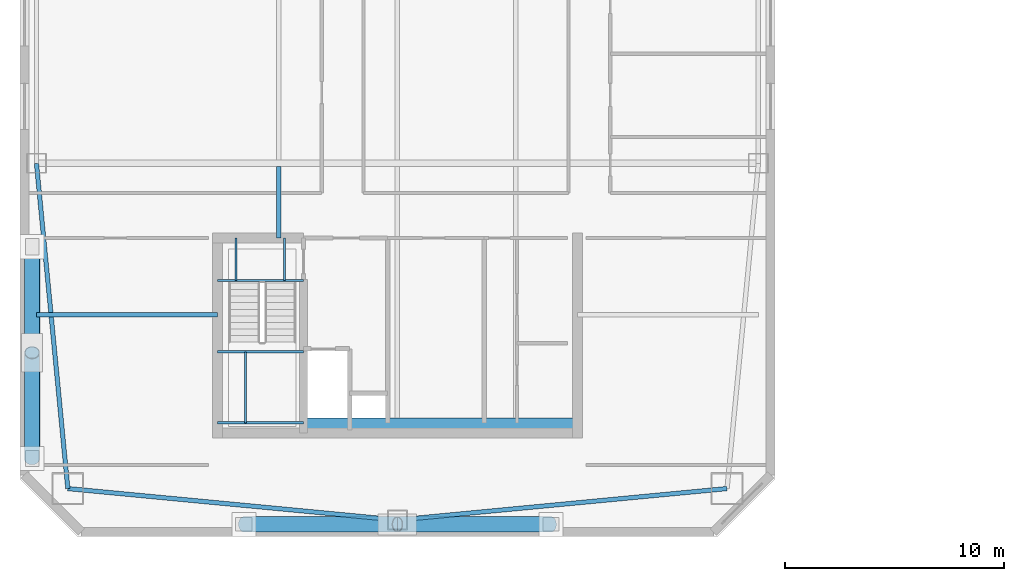
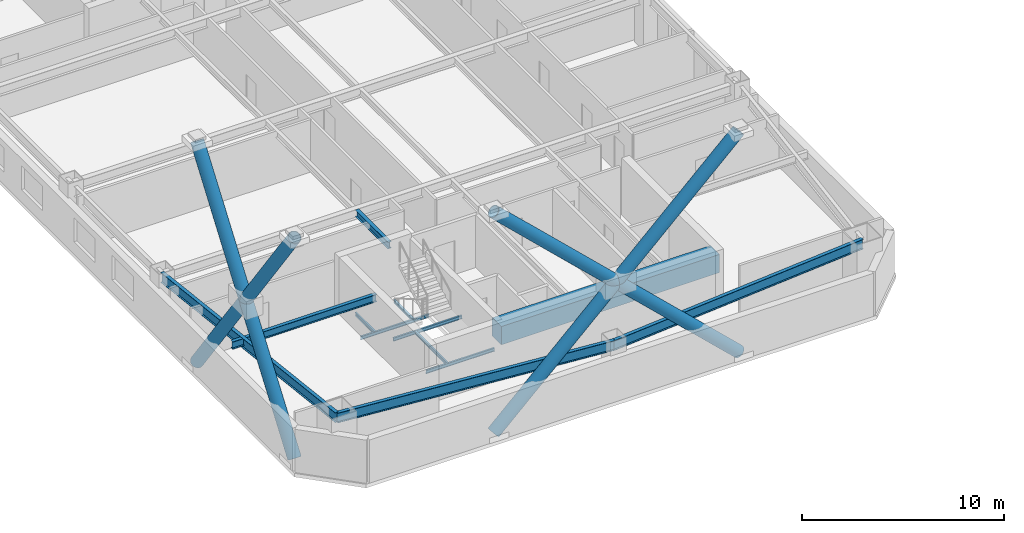
# One storey, part 3 of 25: 12 beams, 8 members.
"""IFC4 building model written with IfcOpenShell, lengths in metres."""

from ifc_helpers import new_model, si_unit, direction, frame, origin, origin_2d, place, context, subcontext, project, spatial, rectangle, hollow_circle, i_section, extrude, material, material_profile, profile_set, type_object, element, save


model = new_model("IFC4")

# Units and contexts
model_context = context("Model", 3, precision=1e-05, world=origin(), true_north=direction((0.0, 1.0)))
body_context = subcontext(model_context, "Body", "Model", "MODEL_VIEW")
ifc_project = project(units=[si_unit("LENGTHUNIT", "METRE"), si_unit("AREAUNIT", "SQUARE_METRE"), si_unit("VOLUMEUNIT", "CUBIC_METRE"), si_unit("PLANEANGLEUNIT", "RADIAN"), si_unit("MASSUNIT", "GRAM", prefix="KILO")], contexts=[model_context])

# Site, building, storey
site_placement = place(None, origin())
site = spatial("IfcSite", under=ifc_project, at=site_placement, CompositionType="ELEMENT")
building_placement = place(site_placement, origin())
building = spatial("IfcBuilding", under=site, at=building_placement, Name="Qiaolan Cultural Towers", CompositionType="ELEMENT")
storey_placement = place(building_placement, frame((0.0, 0.0, 202.39990234375)))
storey = spatial("IfcBuildingStorey", under=building, at=storey_placement, Name="L54", CompositionType="ELEMENT", Elevation=202.39990234375)

# Beams
ifc_material_1 = material(Name="Steel Q355B", Category="steel")
ifc_material_profile_1 = material_profile(ifc_material_1, i_section(OverallWidth=0.199951171875, OverallDepth=0.39990234375, WebThickness=0.008056640625, FlangeThickness=0.012939453125, at=origin_2d()), Name="HN400x200x8x13")
ifc_profile_set_1 = profile_set([ifc_material_profile_1], Name="Steel Q355B")
beam_type_1 = type_object("IfcBeamType", Name="BM-JST-HN400x200x8x13", PredefinedType="JOIST", material=ifc_profile_set_1)
beam_1_placement = place(storey_placement, frame((24.60009765625, 21.60009765625, 2.989990234375), z_axis=(0.0, 1.0, 0.0), x_axis=(-1.0, 0.0, 0.0)))
element("IfcBeam", 1, at=beam_1_placement, inside=storey, type_object=beam_type_1, Name="L54 T1 Secondary Floor Joist U1-1", PredefinedType="JOIST", context=body_context, shape_type="SweptSolid", body=[
    extrude(i_section(OverallWidth=0.199951171875, OverallDepth=0.39990234375, WebThickness=0.008056640625, FlangeThickness=0.012939453125, at=origin_2d()), origin(), (0.0, 0.0, 1.0), 3.25),
])
ifc_material_2 = material(Name="Steel Q355B", Category="steel")
ifc_material_profile_2 = material_profile(ifc_material_2, i_section(OverallWidth=0.199951171875, OverallDepth=0.449951171875, WebThickness=0.009033203125, FlangeThickness=0.013916015625, at=origin_2d()), Name="HN450x200x9x14")
ifc_profile_set_2 = profile_set([ifc_material_profile_2], Name="Steel Q355B")
beam_type_2 = type_object("IfcBeamType", Name="BM-LNT-HN450x200x9x14", PredefinedType="LINTEL", material=ifc_profile_set_2)
beam_2_placement = place(storey_placement, frame((21.800048828125, 18.10009765625, 2.965087890625), z_axis=(-1.0, 0.0, 0.0), x_axis=(0.0, -1.0, 0.0)))
element("IfcBeam", 2, at=beam_2_placement, inside=storey, type_object=beam_type_2, Name="L54 T1 Core Flank Tie Lintel WS", PredefinedType="LINTEL", context=body_context, shape_type="SweptSolid", body=[
    extrude(i_section(OverallWidth=0.199951171875, OverallDepth=0.449951171875, WebThickness=0.009033203125, FlangeThickness=0.013916015625, at=origin_2d()), origin(), (0.0, 0.0, 1.0), 8.25),
])
ifc_material_3 = material(Name="Concrete C50", Category="concrete")
ifc_material_profile_3 = material_profile(ifc_material_3, rectangle(XDim=0.89990234375, YDim=1.10009765625, at=origin_2d()), Name="RC900x1100")
ifc_profile_set_3 = profile_set([ifc_material_profile_3], Name="Concrete C50")
beam_type_3 = type_object("IfcBeamType", Name="BM-RC900x1100", PredefinedType="BEAM", material=ifc_profile_set_3)
beam_3_placement = place(storey_placement, frame((25.719970703125, 12.949951171875, 2.64013671875), z_axis=(1.0, 0.0, 0.0), x_axis=(0.0, 1.0, 0.0)))
element("IfcBeam", 3, at=beam_3_placement, inside=storey, type_object=beam_type_3, Name="L54 T1 Core Header Girder S", PredefinedType="BEAM", context=body_context, shape_type="SweptSolid", body=[
    extrude(rectangle(XDim=0.89990234375, YDim=1.10009765625, at=origin_2d()), origin(), (0.0, 0.0, 1.0), 12.47998046875),
])
ifc_material_4 = material(Name="Steel Q355B", Category="steel")
ifc_material_profile_4 = material_profile(ifc_material_4, i_section(OverallWidth=0.199951171875, OverallDepth=0.60009765625, WebThickness=0.010986328125, FlangeThickness=0.01708984375, at=origin_2d()), Name="HN600x200x11x17")
ifc_profile_set_4 = profile_set([ifc_material_profile_4], Name="Steel Q355B")
beam_type_4 = type_object("IfcBeamType", Name="BM-SPD-HN600x200x11x17", PredefinedType="SPANDREL", material=ifc_profile_set_4)
for number, where, z_axis, x_axis, name in (
    (4, (14.97998046875, 10.179931640625, 2.89013671875), (0.995498889995, -0.094773203061, 0.0), (0.094773203061, 0.995498889995, 0.0), "L54 T1 Perimeter Spandrel Beam 1"),
    (5, (30.0, 8.75, 2.89013671875), (0.995498889995, 0.094773203061, 0.0), (-0.094773203061, 0.995498889995, 0.0), "L54 T1 Perimeter Spandrel Beam 2"),
):
    element("IfcBeam", number, at=place(storey_placement, frame(where, z_axis=z_axis, x_axis=x_axis)), inside=storey, type_object=beam_type_4, Name=name, PredefinedType="SPANDREL", context=body_context, shape_type="SweptSolid", body=[
        extrude(i_section(OverallWidth=0.199951171875, OverallDepth=0.60009765625, WebThickness=0.010986328125, FlangeThickness=0.01708984375, at=origin_2d()), origin(), (0.0, 0.0, 1.0), 15.087890625),
    ])
beam_4_placement = place(storey_placement, frame((13.550048828125, 25.0, 2.89013671875), z_axis=(0.096040159186, -0.995377459974, 0.0), x_axis=(0.995377459974, 0.096040159186, 0.0)))
element("IfcBeam", 6, at=beam_4_placement, inside=storey, type_object=beam_type_4, Name="L54 T1 Perimeter Spandrel Beam 12", PredefinedType="SPANDREL", context=body_context, shape_type="SweptSolid", body=[
    extrude(i_section(OverallWidth=0.199951171875, OverallDepth=0.60009765625, WebThickness=0.010986328125, FlangeThickness=0.01708984375, at=origin_2d()), origin(), (0.0, 0.0, 1.0), 14.888916015625),
])
ifc_material_5 = material(Name="Steel Q355B", Category="steel")
ifc_material_profile_5 = material_profile(ifc_material_5, i_section(OverallWidth=0.10009765625, OverallDepth=0.199951171875, WebThickness=0.005615234375, FlangeThickness=0.008056640625, at=origin_2d()), Name="HN200x100x5.5x8")
ifc_profile_set_5 = profile_set([ifc_material_profile_5], Name="Steel Q355B")
beam_type_5 = type_object("IfcBeamType", Name="BM-STTRIM-200", PredefinedType="BEAM", material=ifc_profile_set_5)
beam_5_placement = place(storey_placement, frame((21.800048828125, 19.659912109375, -0.4599609375), z_axis=(1.0, 0.0, 0.0), x_axis=(0.0, 1.0, 0.0)))
element("IfcBeam", 7, at=beam_5_placement, inside=storey, type_object=beam_type_5, Name="L54 ST-W1 Floor Landing Header Beam", PredefinedType="BEAM", context=body_context, shape_type="SweptSolid", body=[
    extrude(i_section(OverallWidth=0.10009765625, OverallDepth=0.199951171875, WebThickness=0.005615234375, FlangeThickness=0.008056640625, at=origin_2d()), origin(), (0.0, 0.0, 1.0), 3.919921875),
])
for number, where, z_axis, x_axis, name in (
    (8, (22.64990234375, 21.60009765625, -0.4599609375), (0.0, -1.0, 0.0), (1.0, 0.0, 0.0), "L54 ST-W1 Floor Landing Stringer 1"),
    (9, (24.85009765625, 21.60009765625, -0.4599609375), (0.0, -1.0, 0.0), (1.0, 0.0, 0.0), "L54 ST-W1 Floor Landing Stringer 2"),
):
    element("IfcBeam", number, at=place(storey_placement, frame(where, z_axis=z_axis, x_axis=x_axis)), inside=storey, type_object=beam_type_5, Name=name, PredefinedType="BEAM", context=body_context, shape_type="SweptSolid", body=[
        extrude(i_section(OverallWidth=0.10009765625, OverallDepth=0.199951171875, WebThickness=0.005615234375, FlangeThickness=0.008056640625, at=origin_2d()), origin(), (0.0, 0.0, 1.0), 1.940185546875),
    ])
for number, where, z_axis, x_axis, name in (
    (10, (21.800048828125, 16.411376953125, 1.425048828125), (1.0, 0.0, 0.0), (0.0, 1.0, 0.0), "L54 ST-W1 Stair Landing Support Beam 1-1"),
    (11, (21.800048828125, 13.179931640625, 1.425048828125), (1.0, 0.0, 0.0), (0.0, 1.0, 0.0), "L54 ST-W1 Stair Landing Support Beam 1-2"),
):
    element("IfcBeam", number, at=place(storey_placement, frame(where, z_axis=z_axis, x_axis=x_axis)), inside=storey, type_object=beam_type_5, Name=name, PredefinedType="BEAM", context=body_context, shape_type="SweptSolid", body=[
        extrude(i_section(OverallWidth=0.10009765625, OverallDepth=0.199951171875, WebThickness=0.005615234375, FlangeThickness=0.008056640625, at=origin_2d()), origin(), (0.0, 0.0, 1.0), 3.919921875),
    ])
beam_6_placement = place(storey_placement, frame((23.070068359375, 16.411376953125, 1.425048828125), z_axis=(0.0, -1.0, 0.0), x_axis=(1.0, 0.0, 0.0)))
element("IfcBeam", 12, at=beam_6_placement, inside=storey, type_object=beam_type_5, Name="L54 ST-W1 Stair Landing Trimmer 1", PredefinedType="BEAM", context=body_context, shape_type="SweptSolid", body=[
    extrude(i_section(OverallWidth=0.10009765625, OverallDepth=0.199951171875, WebThickness=0.005615234375, FlangeThickness=0.008056640625, at=origin_2d()), origin(), (0.0, 0.0, 1.0), 3.2314453125),
])

# Members
ifc_material_6 = material(Name="Steel Q355B", Category="steel")
ifc_material_profile_6 = material_profile(ifc_material_6, hollow_circle(Radius=0.35009765625, WallThickness=0.034912109375, at=origin_2d()), Name="CHS700x35")
ifc_profile_set_6 = profile_set([ifc_material_profile_6], Name="Steel Q355B")
member_type = type_object("IfcMemberType", Name="MBR-BRC-CHS700x35", PredefinedType="BRACE", material=ifc_profile_set_6)
member_1_placement = place(storey_placement, frame((13.35009765625, 11.550048828125, 0.150146484375), z_axis=(0.0, 0.585816268736, 0.810443890275), x_axis=(-1.0, 0.0, 0.0)))
element("IfcMember", 13, at=member_1_placement, inside=storey, type_object=member_type, Name="T1 WEST Perimeter Frame Diagonal W-Z3-M4-D1A", PredefinedType="BRACE", context=body_context, shape_type="SweptSolid", body=[
    extrude(hollow_circle(Radius=0.35009765625, WallThickness=0.034912109375, at=origin_2d()), origin(), (0.0, 0.0, 1.0), 8.236328125),
])
member_2_placement = place(storey_placement, frame((13.35009765625, 16.375, 6.8251953125), z_axis=(0.0, 0.585830342188, 0.810433717322), x_axis=(-1.0, 0.0, 0.0)))
element("IfcMember", 14, at=member_2_placement, inside=storey, type_object=member_type, Name="T1 WEST Perimeter Frame Diagonal W-Z3-M4-D1B", PredefinedType="BRACE", context=body_context, shape_type="SweptSolid", body=[
    extrude(hollow_circle(Radius=0.35009765625, WallThickness=0.034912109375, at=origin_2d()), origin(), (0.0, 0.0, 1.0), 8.236083984375),
])
member_3_placement = place(storey_placement, frame((13.35009765625, 21.199951171875, 0.150146484375), z_axis=(0.0, -0.585816268736, 0.810443890275), x_axis=(1.0, 0.0, 0.0)))
element("IfcMember", 15, at=member_3_placement, inside=storey, type_object=member_type, Name="T1 WEST Perimeter Frame Diagonal W-Z3-M4-D2A", PredefinedType="BRACE", context=body_context, shape_type="SweptSolid", body=[
    extrude(hollow_circle(Radius=0.35009765625, WallThickness=0.034912109375, at=origin_2d()), origin(), (0.0, 0.0, 1.0), 8.236328125),
])
member_4_placement = place(storey_placement, frame((13.35009765625, 16.375, 6.8251953125), z_axis=(0.0, -0.585830342188, 0.810433717322), x_axis=(1.0, 0.0, 0.0)))
element("IfcMember", 16, at=member_4_placement, inside=storey, type_object=member_type, Name="T1 WEST Perimeter Frame Diagonal W-Z3-M4-D2B", PredefinedType="BRACE", context=body_context, shape_type="SweptSolid", body=[
    extrude(hollow_circle(Radius=0.35009765625, WallThickness=0.034912109375, at=origin_2d()), origin(), (0.0, 0.0, 1.0), 8.236083984375),
])
for number, where, z_axis, x_axis, name in (
    (17, (23.0, 8.550048828125, 0.150146484375), (0.723705002801, 0.0, 0.69010946155), (0.0, 1.0, 0.0), "T1 SOUTH Perimeter Frame Diagonal W-Z3-M4-D1A"),
    (18, (30.0, 8.550048828125, 6.8251953125), (0.723717609069, 0.0, 0.690096241349), (0.0, 1.0, 0.0), "T1 SOUTH Perimeter Frame Diagonal W-Z3-M4-D1B"),
    (19, (37.0, 8.550048828125, 0.150146484375), (-0.723705002801, 0.0, 0.69010946155), (0.0, -1.0, 0.0), "T1 SOUTH Perimeter Frame Diagonal W-Z3-M4-D2A"),
    (20, (30.0, 8.550048828125, 6.8251953125), (-0.723717609069, 0.0, 0.690096241349), (0.0, -1.0, 0.0), "T1 SOUTH Perimeter Frame Diagonal W-Z3-M4-D2B"),
):
    element("IfcMember", number, at=place(storey_placement, frame(where, z_axis=z_axis, x_axis=x_axis)), inside=storey, type_object=member_type, Name=name, PredefinedType="BRACE", context=body_context, shape_type="SweptSolid", body=[
        extrude(hollow_circle(Radius=0.35009765625, WallThickness=0.034912109375, at=origin_2d()), origin(), (0.0, 0.0, 1.0), 9.67236328125),
    ])

save(model, "model.ifc")
